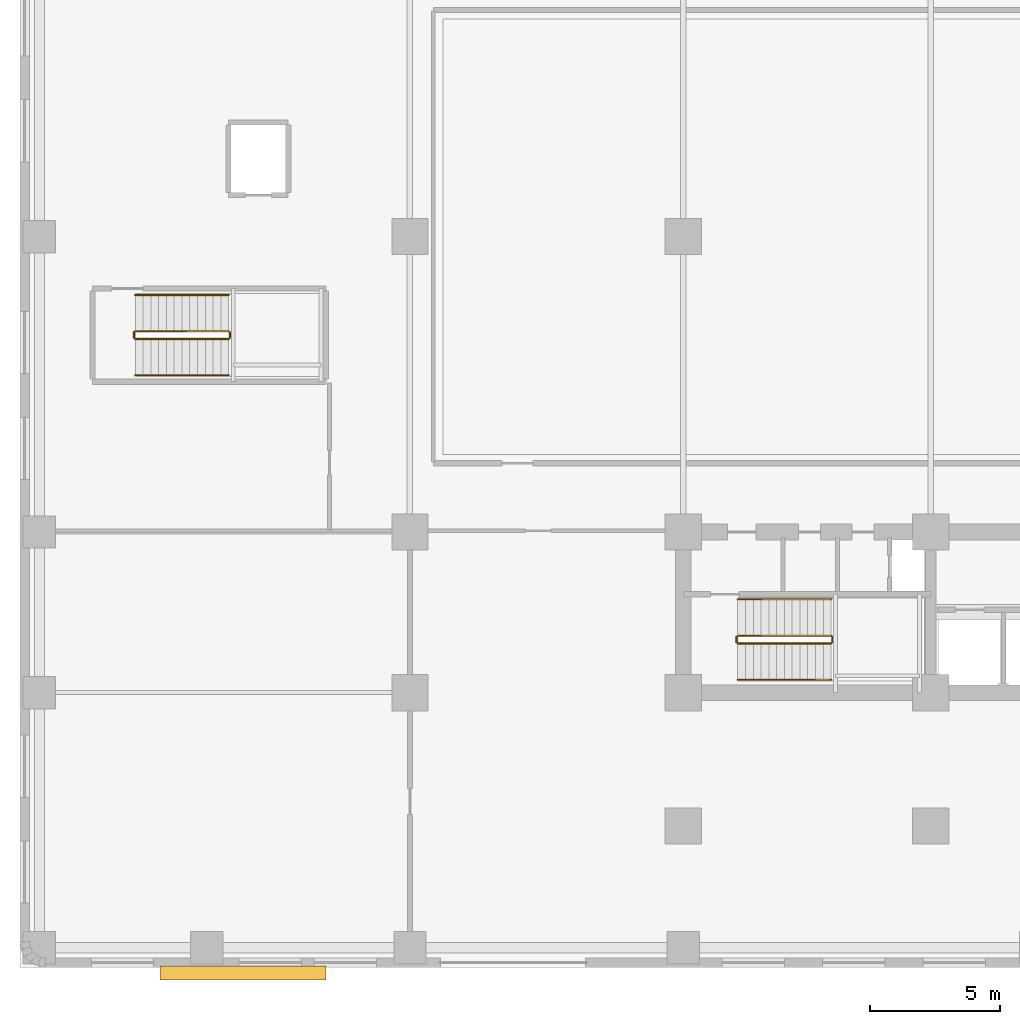
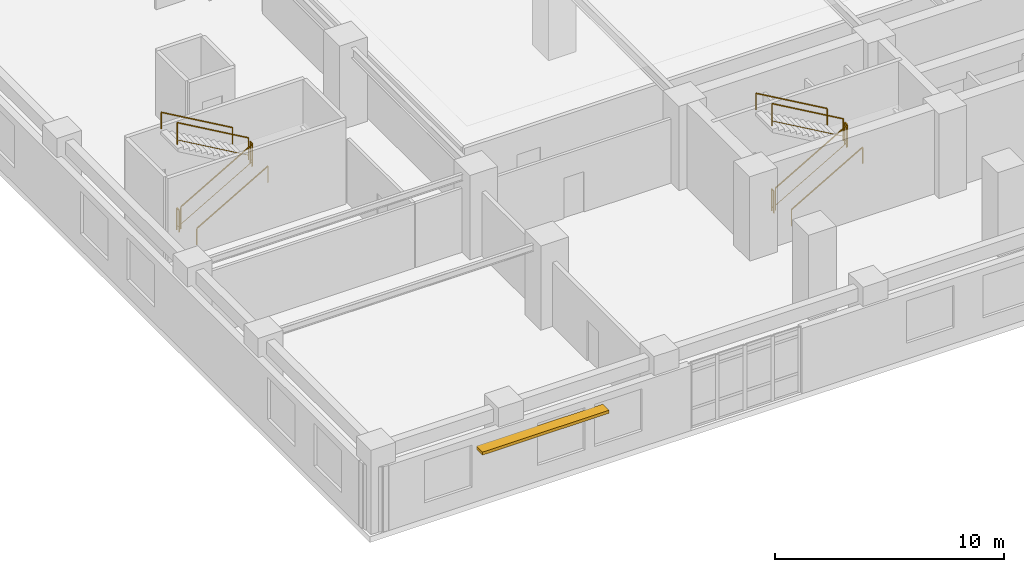
# One storey, part 11 of 14: 12 railings, 1 shading device.
"""IFC4 building model written with IfcOpenShell, lengths in metres."""

from ifc_helpers import new_model, si_unit, direction, frame, origin, origin_2d, place, context, subcontext, project, spatial, rectangle, extrude, material, layer, layer_set, type_object, element, save


model = new_model("IFC4")

# Units and contexts
model_context = context("Model", 3, precision=1e-05, world=origin(), true_north=direction((0.0, 1.0)))
body_context = subcontext(model_context, "Body", "Model", "MODEL_VIEW")
ifc_project = project(units=[si_unit("LENGTHUNIT", "METRE"), si_unit("AREAUNIT", "SQUARE_METRE"), si_unit("VOLUMEUNIT", "CUBIC_METRE"), si_unit("PLANEANGLEUNIT", "RADIAN"), si_unit("MASSUNIT", "GRAM", prefix="KILO")], contexts=[model_context])

# Site, building, storey
site_placement = place(None, origin())
site = spatial("IfcSite", under=ifc_project, at=site_placement, CompositionType="ELEMENT")
building_placement = place(site_placement, origin())
building = spatial("IfcBuilding", under=site, at=building_placement, Name="Svetorya Sky Lyceum", CompositionType="ELEMENT")
storey_placement = place(building_placement, frame((0.0, 0.0, 15.60009765625)))
storey = spatial("IfcBuildingStorey", under=building, at=storey_placement, Name="L03", CompositionType="ELEMENT", Elevation=15.60009765625)

# Railings
ifc_material_1 = material(Name="Painted galvanized stair well guard")
railing_type_1 = type_object("IfcRailingType", Name="RL-STR-GUARD-1200", PredefinedType="GUARDRAIL", material=ifc_material_1)
railing_1_placement = place(storey_placement, frame((27.699951171875, 12.5, 0.173095703125)))
element("IfcRailing", 1, at=railing_1_placement, inside=storey, type_object=railing_type_1, Name="L03 ST-S stair guard 1", PredefinedType="GUARDRAIL", context=body_context, shape_type="SweptSolid", body=[
    extrude(rectangle(XDim=0.048095703125, YDim=0.048095703125, at=origin_2d()), frame((0.0, 0.0, 1.17578125), z_axis=(0.866193409371, 0.0, 0.499708892819), x_axis=(0.0, 1.0, 0.0)), (0.0, 0.0, 1.0), 4.15625),
    extrude(rectangle(XDim=0.02392578125, YDim=0.02392578125, at=origin_2d()), frame((0.0, 0.0, 0.25), z_axis=(0.866193409371, 0.0, 0.499708892819), x_axis=(0.0, 1.0, 0.0)), (0.0, 0.0, 1.0), 4.15625),
    extrude(rectangle(XDim=0.0419921875, YDim=0.0419921875, at=origin_2d()), origin(), (0.0, 0.0, 1.0), 1.15185546875),
    extrude(rectangle(XDim=0.0419921875, YDim=0.0419921875, at=origin_2d()), frame((3.60009765625, 0.0, 2.076904296875)), (0.0, 0.0, 1.0), 1.15185546875),
])
railing_2_placement = place(storey_placement, frame((31.35009765625, 12.550048828125, 2.25)))
element("IfcRailing", 2, at=railing_2_placement, inside=storey, type_object=railing_type_1, Name="L03 ST-S stair guard 2", PredefinedType="GUARDRAIL", context=body_context, shape_type="SweptSolid", body=[
    extrude(rectangle(XDim=0.048095703125, YDim=0.048095703125, at=origin_2d()), frame((0.0, 0.0, 1.17578125), z_axis=(0.0, 1.0, 0.0), x_axis=(-1.0, 0.0, 0.0)), (0.0, 0.0, 1.0), 0.199951171875),
    extrude(rectangle(XDim=0.02392578125, YDim=0.02392578125, at=origin_2d()), frame((0.0, 0.0, 0.25), z_axis=(0.0, 1.0, 0.0), x_axis=(-1.0, 0.0, 0.0)), (0.0, 0.0, 1.0), 0.199951171875),
    extrude(rectangle(XDim=0.0419921875, YDim=0.0419921875, at=origin_2d()), origin(), (0.0, 0.0, 1.0), 1.15185546875),
    extrude(rectangle(XDim=0.0419921875, YDim=0.0419921875, at=origin_2d()), frame((0.0, 0.199951171875, 0.0)), (0.0, 0.0, 1.0), 1.15185546875),
])
railing_3_placement = place(storey_placement, frame((31.300048828125, 12.800048828125, 2.423095703125)))
element("IfcRailing", 3, at=railing_3_placement, inside=storey, type_object=railing_type_1, Name="L03 ST-S stair guard 3", PredefinedType="GUARDRAIL", context=body_context, shape_type="SweptSolid", body=[
    extrude(rectangle(XDim=0.048095703125, YDim=0.048095703125, at=origin_2d()), frame((0.0, 0.0, 1.17578125), z_axis=(-0.866193409371, 0.0, 0.499708892819), x_axis=(0.0, -1.0, 0.0)), (0.0, 0.0, 1.0), 4.15625),
    extrude(rectangle(XDim=0.02392578125, YDim=0.02392578125, at=origin_2d()), frame((0.0, 0.0, 0.25), z_axis=(-0.866193409371, 0.0, 0.499708892819), x_axis=(0.0, -1.0, 0.0)), (0.0, 0.0, 1.0), 4.15625),
    extrude(rectangle(XDim=0.0419921875, YDim=0.0419921875, at=origin_2d()), origin(), (0.0, 0.0, 1.0), 1.15185546875),
    extrude(rectangle(XDim=0.0419921875, YDim=0.0419921875, at=origin_2d()), frame((-3.60009765625, 0.0, 2.076904296875)), (0.0, 0.0, 1.0), 1.15185546875),
])
railing_4_placement = place(storey_placement, frame((27.64990234375, 12.550048828125, 0.0)))
element("IfcRailing", 4, at=railing_4_placement, inside=storey, type_object=railing_type_1, Name="L03 ST-S stair guard 4", PredefinedType="GUARDRAIL", context=body_context, shape_type="SweptSolid", body=[
    extrude(rectangle(XDim=0.048095703125, YDim=0.048095703125, at=origin_2d()), frame((0.0, 0.0, 1.17578125), z_axis=(0.0, 1.0, 0.0), x_axis=(-1.0, 0.0, 0.0)), (0.0, 0.0, 1.0), 0.199951171875),
    extrude(rectangle(XDim=0.02392578125, YDim=0.02392578125, at=origin_2d()), frame((0.0, 0.0, 0.25), z_axis=(0.0, 1.0, 0.0), x_axis=(-1.0, 0.0, 0.0)), (0.0, 0.0, 1.0), 0.199951171875),
    extrude(rectangle(XDim=0.0419921875, YDim=0.0419921875, at=origin_2d()), origin(), (0.0, 0.0, 1.0), 1.15185546875),
    extrude(rectangle(XDim=0.0419921875, YDim=0.0419921875, at=origin_2d()), frame((0.0, 0.199951171875, 0.0)), (0.0, 0.0, 1.0), 1.15185546875),
])
railing_5_placement = place(storey_placement, frame((4.449951171875, 24.25, 0.173095703125)))
element("IfcRailing", 5, at=railing_5_placement, inside=storey, type_object=railing_type_1, Name="L03 ST-SCH-W stair guard 1", PredefinedType="GUARDRAIL", context=body_context, shape_type="SweptSolid", body=[
    extrude(rectangle(XDim=0.048095703125, YDim=0.048095703125, at=origin_2d()), frame((0.0, 0.0, 1.17578125), z_axis=(0.866193409371, 0.0, 0.499708892819), x_axis=(0.0, 1.0, 0.0)), (0.0, 0.0, 1.0), 4.15625),
    extrude(rectangle(XDim=0.02392578125, YDim=0.02392578125, at=origin_2d()), frame((0.0, 0.0, 0.25), z_axis=(0.866193409371, 0.0, 0.499708892819), x_axis=(0.0, 1.0, 0.0)), (0.0, 0.0, 1.0), 4.15625),
    extrude(rectangle(XDim=0.0419921875, YDim=0.0419921875, at=origin_2d()), origin(), (0.0, 0.0, 1.0), 1.15185546875),
    extrude(rectangle(XDim=0.0419921875, YDim=0.0419921875, at=origin_2d()), frame((3.60009765625, 0.0, 2.076904296875)), (0.0, 0.0, 1.0), 1.15185546875),
])
railing_6_placement = place(storey_placement, frame((8.10009765625, 24.300048828125, 2.25)))
element("IfcRailing", 6, at=railing_6_placement, inside=storey, type_object=railing_type_1, Name="L03 ST-SCH-W stair guard 2", PredefinedType="GUARDRAIL", context=body_context, shape_type="SweptSolid", body=[
    extrude(rectangle(XDim=0.048095703125, YDim=0.048095703125, at=origin_2d()), frame((0.0, 0.0, 1.17578125), z_axis=(0.0, 1.0, 0.0), x_axis=(-1.0, 0.0, 0.0)), (0.0, 0.0, 1.0), 0.199951171875),
    extrude(rectangle(XDim=0.02392578125, YDim=0.02392578125, at=origin_2d()), frame((0.0, 0.0, 0.25), z_axis=(0.0, 1.0, 0.0), x_axis=(-1.0, 0.0, 0.0)), (0.0, 0.0, 1.0), 0.199951171875),
    extrude(rectangle(XDim=0.0419921875, YDim=0.0419921875, at=origin_2d()), origin(), (0.0, 0.0, 1.0), 1.15185546875),
    extrude(rectangle(XDim=0.0419921875, YDim=0.0419921875, at=origin_2d()), frame((0.0, 0.199951171875, 0.0)), (0.0, 0.0, 1.0), 1.15185546875),
])
railing_7_placement = place(storey_placement, frame((8.050048828125, 24.550048828125, 2.423095703125)))
element("IfcRailing", 7, at=railing_7_placement, inside=storey, type_object=railing_type_1, Name="L03 ST-SCH-W stair guard 3", PredefinedType="GUARDRAIL", context=body_context, shape_type="SweptSolid", body=[
    extrude(rectangle(XDim=0.048095703125, YDim=0.048095703125, at=origin_2d()), frame((0.0, 0.0, 1.17578125), z_axis=(-0.866193409371, 0.0, 0.499708892819), x_axis=(0.0, -1.0, 0.0)), (0.0, 0.0, 1.0), 4.15625),
    extrude(rectangle(XDim=0.02392578125, YDim=0.02392578125, at=origin_2d()), frame((0.0, 0.0, 0.25), z_axis=(-0.866193409371, 0.0, 0.499708892819), x_axis=(0.0, -1.0, 0.0)), (0.0, 0.0, 1.0), 4.15625),
    extrude(rectangle(XDim=0.0419921875, YDim=0.0419921875, at=origin_2d()), origin(), (0.0, 0.0, 1.0), 1.15185546875),
    extrude(rectangle(XDim=0.0419921875, YDim=0.0419921875, at=origin_2d()), frame((-3.60009765625, 0.0, 2.076904296875)), (0.0, 0.0, 1.0), 1.15185546875),
])
railing_8_placement = place(storey_placement, frame((4.39990234375, 24.300048828125, 0.0)))
element("IfcRailing", 8, at=railing_8_placement, inside=storey, type_object=railing_type_1, Name="L03 ST-SCH-W stair guard 4", PredefinedType="GUARDRAIL", context=body_context, shape_type="SweptSolid", body=[
    extrude(rectangle(XDim=0.048095703125, YDim=0.048095703125, at=origin_2d()), frame((0.0, 0.0, 1.17578125), z_axis=(0.0, 1.0, 0.0), x_axis=(-1.0, 0.0, 0.0)), (0.0, 0.0, 1.0), 0.199951171875),
    extrude(rectangle(XDim=0.02392578125, YDim=0.02392578125, at=origin_2d()), frame((0.0, 0.0, 0.25), z_axis=(0.0, 1.0, 0.0), x_axis=(-1.0, 0.0, 0.0)), (0.0, 0.0, 1.0), 0.199951171875),
    extrude(rectangle(XDim=0.0419921875, YDim=0.0419921875, at=origin_2d()), origin(), (0.0, 0.0, 1.0), 1.15185546875),
    extrude(rectangle(XDim=0.0419921875, YDim=0.0419921875, at=origin_2d()), frame((0.0, 0.199951171875, 0.0)), (0.0, 0.0, 1.0), 1.15185546875),
])
ifc_material_2 = material(Name="Brushed stainless AISI 304 stair handrail")
railing_type_2 = type_object("IfcRailingType", Name="RL-STR-HAND-920", PredefinedType="HANDRAIL", material=ifc_material_2)
railing_9_placement = place(storey_placement, frame((27.699951171875, 11.10009765625, 0.173095703125)))
element("IfcRailing", 9, at=railing_9_placement, inside=storey, type_object=railing_type_2, Name="L03 ST-S stair handrail 1", PredefinedType="HANDRAIL", context=body_context, shape_type="SweptSolid", body=[
    extrude(rectangle(XDim=0.048095703125, YDim=0.048095703125, at=origin_2d()), frame((0.0, 0.0, 0.8759765625), z_axis=(0.866193409371, 0.0, 0.499708892819), x_axis=(0.0, 1.0, 0.0)), (0.0, 0.0, 1.0), 4.15625),
    extrude(rectangle(XDim=0.0419921875, YDim=0.0419921875, at=origin_2d()), origin(), (0.0, 0.0, 1.0), 0.851806640625),
    extrude(rectangle(XDim=0.0419921875, YDim=0.0419921875, at=origin_2d()), frame((3.60009765625, 0.0, 2.076904296875)), (0.0, 0.0, 1.0), 0.851806640625),
])
railing_10_placement = place(storey_placement, frame((31.300048828125, 14.199951171875, 2.423095703125)))
element("IfcRailing", 10, at=railing_10_placement, inside=storey, type_object=railing_type_2, Name="L03 ST-S stair handrail 2", PredefinedType="HANDRAIL", context=body_context, shape_type="SweptSolid", body=[
    extrude(rectangle(XDim=0.048095703125, YDim=0.048095703125, at=origin_2d()), frame((0.0, 0.0, 0.8759765625), z_axis=(-0.866193409371, 0.0, 0.499708892819), x_axis=(0.0, -1.0, 0.0)), (0.0, 0.0, 1.0), 4.15625),
    extrude(rectangle(XDim=0.0419921875, YDim=0.0419921875, at=origin_2d()), origin(), (0.0, 0.0, 1.0), 0.851806640625),
    extrude(rectangle(XDim=0.0419921875, YDim=0.0419921875, at=origin_2d()), frame((-3.60009765625, 0.0, 2.076904296875)), (0.0, 0.0, 1.0), 0.851806640625),
])
railing_11_placement = place(storey_placement, frame((4.449951171875, 22.85009765625, 0.173095703125)))
element("IfcRailing", 11, at=railing_11_placement, inside=storey, type_object=railing_type_2, Name="L03 ST-SCH-W stair handrail 1", PredefinedType="HANDRAIL", context=body_context, shape_type="SweptSolid", body=[
    extrude(rectangle(XDim=0.048095703125, YDim=0.048095703125, at=origin_2d()), frame((0.0, 0.0, 0.8759765625), z_axis=(0.866193409371, 0.0, 0.499708892819), x_axis=(0.0, 1.0, 0.0)), (0.0, 0.0, 1.0), 4.15625),
    extrude(rectangle(XDim=0.0419921875, YDim=0.0419921875, at=origin_2d()), origin(), (0.0, 0.0, 1.0), 0.851806640625),
    extrude(rectangle(XDim=0.0419921875, YDim=0.0419921875, at=origin_2d()), frame((3.60009765625, 0.0, 2.076904296875)), (0.0, 0.0, 1.0), 0.851806640625),
])
railing_12_placement = place(storey_placement, frame((8.050048828125, 25.949951171875, 2.423095703125)))
element("IfcRailing", 12, at=railing_12_placement, inside=storey, type_object=railing_type_2, Name="L03 ST-SCH-W stair handrail 2", PredefinedType="HANDRAIL", context=body_context, shape_type="SweptSolid", body=[
    extrude(rectangle(XDim=0.048095703125, YDim=0.048095703125, at=origin_2d()), frame((0.0, 0.0, 0.8759765625), z_axis=(-0.866193409371, 0.0, 0.499708892819), x_axis=(0.0, -1.0, 0.0)), (0.0, 0.0, 1.0), 4.15625),
    extrude(rectangle(XDim=0.0419921875, YDim=0.0419921875, at=origin_2d()), origin(), (0.0, 0.0, 1.0), 0.851806640625),
    extrude(rectangle(XDim=0.0419921875, YDim=0.0419921875, at=origin_2d()), frame((-3.60009765625, 0.0, 2.076904296875)), (0.0, 0.0, 1.0), 0.851806640625),
])

# Shading device
ifc_material_3 = material(Name="Champagne-anodized extruded aluminium sunshade", Category="aluminium")
ifc_layer = layer(ifc_material_3, 0.159912109375)
ifc_layer_set = layer_set([ifc_layer], Name="Champagne-anodized extruded aluminium sunshade")
shading_device_type = type_object("IfcShadingDeviceType", Name="SHD-LVR-540", PredefinedType="AWNING", material=ifc_layer_set)
shading_device_placement = place(storey_placement, frame((8.60498046875, -0.219970703125, 2.77001953125), z_axis=(0.0, 0.0, 1.0), x_axis=(1.0, 0.0, 0.0)))
element("IfcShadingDevice", 13, at=shading_device_placement, inside=storey, type_object=shading_device_type, Name="L03 Solar Brise-Soleil SHD-1.6A", PredefinedType="AWNING", context=body_context, shape_type="SweptSolid", body=[
    extrude(rectangle(XDim=6.39990234375, YDim=0.5400390625, at=origin_2d()), origin(), (0.0, 0.0, 1.0), 0.159912109375),
])

save(model, "model.ifc")
